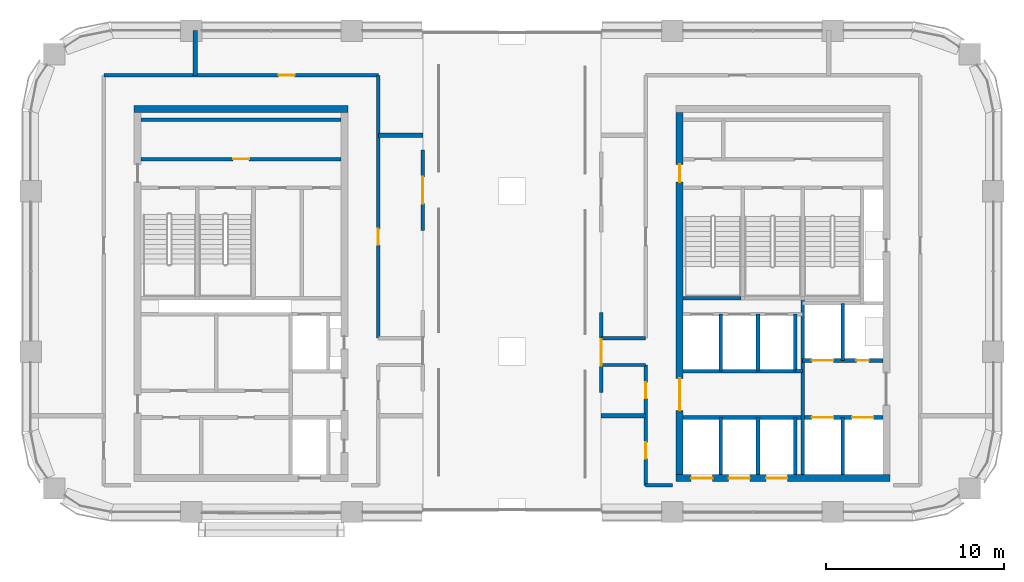
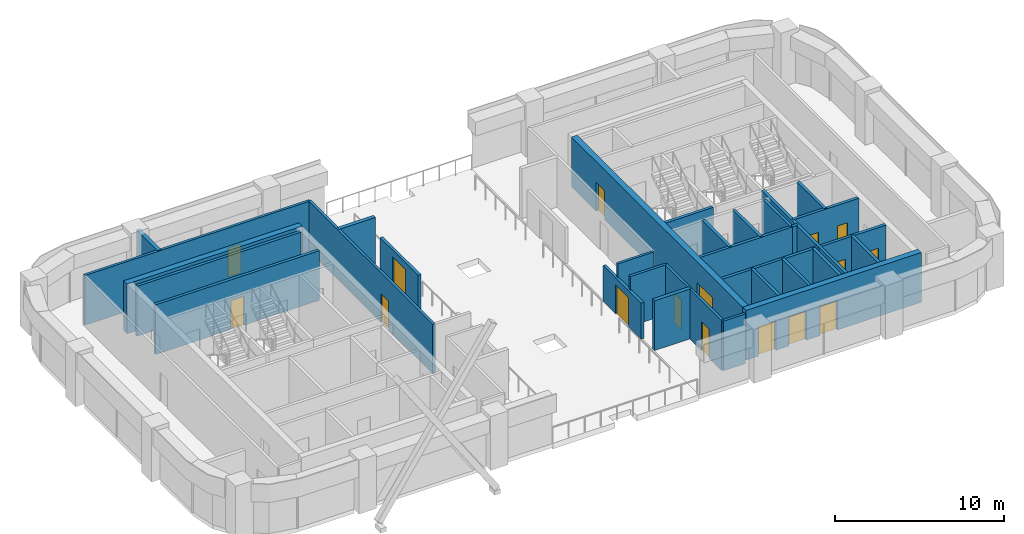
# One storey, part 7 of 11: 30 walls, 16 doors, 16 openings.
"""IFC4 building model written with IfcOpenShell, lengths in metres."""

from ifc_helpers import new_model, si_unit, direction, frame, frame_2d, origin, place, context, subcontext, project, spatial, rectangle, extrude, material, layer, layer_set, type_object, element, fill, save


model = new_model("IFC4")

# Units and contexts
model_context = context("Model", 3, precision=1e-05, world=origin(), true_north=direction((0.0, 1.0)))
body_context = subcontext(model_context, "Body", "Model", "MODEL_VIEW")
ifc_project = project(units=[si_unit("LENGTHUNIT", "METRE"), si_unit("AREAUNIT", "SQUARE_METRE"), si_unit("VOLUMEUNIT", "CUBIC_METRE"), si_unit("PLANEANGLEUNIT", "RADIAN"), si_unit("MASSUNIT", "GRAM", prefix="KILO")], contexts=[model_context])

# Site, building, storey
site_placement = place(None, origin())
site = spatial("IfcSite", under=ifc_project, at=site_placement, CompositionType="ELEMENT")
building_placement = place(site_placement, origin())
building = spatial("IfcBuilding", under=site, at=building_placement, Name="Tessera Arch", CompositionType="ELEMENT")
storey_placement = place(building_placement, frame((0.0, 0.0, 203.300048828125)))
storey = spatial("IfcBuildingStorey", under=building, at=storey_placement, Name="L48", CompositionType="ELEMENT", Elevation=203.300048828125)

# Wall
ifc_material_1 = material(Name="Gypsum board on steel stud", Category="steel")
ifc_layer_1 = layer(ifc_material_1, 0.125)
ifc_layer_set_1 = layer_set([ifc_layer_1], Name="Core partition 125 EI 60")
wall_type_1 = type_object("IfcWallType", Name="Core partition 125 EI 60", PredefinedType="PARTITIONING", material=ifc_layer_set_1)
wall_1_placement = place(storey_placement, frame((42.89990234375, 34.89990234375, 0.0), z_axis=(0.0, 0.0, 1.0), x_axis=(1.0, 0.0, 0.0)))
element("IfcWall", 1, at=wall_1_placement, inside=storey, type_object=wall_type_1, Name="L48 C1 partition wall 19", PredefinedType="PARTITIONING", context=body_context, shape_type="SweptSolid", body=[
    extrude(rectangle(XDim=0.400146484375, YDim=0.199951171875, at=frame_2d((0.2001953125, 0.0))), origin(), (0.0, 0.0, 1.0), 3.599853515625),
])

# Wall, opening, door
wall_2_placement = place(storey_placement, frame((6.199951171875, 46.800048828125, 0.0), z_axis=(0.0, 0.0, 1.0), x_axis=(1.0, 0.0, 0.0)))
wall_2 = element("IfcWall", 2, at=wall_2_placement, inside=storey, type_object=wall_type_1, Name="L48 C2 partition wall 24", PredefinedType="PARTITIONING", context=body_context, shape_type="SweptSolid", body=[
    extrude(rectangle(XDim=11.199951171875, YDim=0.199951171875, at=frame_2d((5.60009765625, 0.0))), origin(), (0.0, 0.0, 1.0), 3.599853515625),
])
opening_1_placement = place(wall_2_placement, frame((5.14990234375, 0.0, 0.0)))
opening_1 = element("IfcOpeningElement", 3, at=opening_1_placement, cuts=wall_2, Name="Opening L48-C29", PredefinedType="OPENING", context=body_context, shape_type="SweptSolid", body=[
    extrude(rectangle(XDim=0.89990234375, YDim=2.10009765625, at=frame_2d((0.449951171875, 1.050048828125))), frame((0.0, 0.10986328125, 0.0), z_axis=(0.0, -1.0, 0.0), x_axis=(1.0, 0.0, 0.0)), (0.0, 0.0, 1.0), 0.219970703125),
])
ifc_material_2 = material(Name="Steel door leaf", Category="steel")
door_type_1 = type_object("IfcDoorType", Name="Store door FD30S 900 x 2100", OperationType="SINGLE_SWING_LEFT", PredefinedType="DOOR", material=ifc_material_2)
door_1_placement = place(opening_1_placement, origin())
door_1 = element("IfcDoor", 4, at=door_1_placement, inside=storey, type_object=door_type_1, Name="L48 C2 door 10 C29 type D09", OperationType="SINGLE_SWING_RIGHT", OverallHeight=2.10009765625, OverallWidth=0.89990234375, PredefinedType="DOOR", context=body_context, shape_type="SweptSolid", body=[
    extrude(rectangle(XDim=0.89990234375, YDim=2.10009765625, at=frame_2d((0.449951171875, 1.050048828125))), frame((0.0, 0.02490234375, 0.0), z_axis=(0.0, -1.0, 0.0), x_axis=(1.0, 0.0, 0.0)), (0.0, 0.0, 1.0), 0.050048828125),
])
fill(opening_1, door_1)

# Wall
wall_3_placement = place(storey_placement, frame((6.199951171875, 49.0, 0.0), z_axis=(0.0, 0.0, 1.0), x_axis=(1.0, 0.0, 0.0)))
element("IfcWall", 5, at=wall_3_placement, inside=storey, type_object=wall_type_1, Name="L48 C2 partition wall 25", PredefinedType="PARTITIONING", context=body_context, shape_type="SweptSolid", body=[
    extrude(rectangle(XDim=11.199951171875, YDim=0.199951171875, at=frame_2d((5.60009765625, 0.0))), origin(), (0.0, 0.0, 1.0), 3.599853515625),
])

# Wall, openings, doors
ifc_material_3 = material(Name="Concrete C50/60", Category="concrete")
ifc_layer_2 = layer(ifc_material_3, 0.39990234375)
ifc_layer_set_2 = layer_set([ifc_layer_2], Name="Core shell wall 400 C50-60")
wall_type_2 = type_object("IfcWallType", Name="Core shell wall 400 C50-60", PredefinedType="SHEAR", material=ifc_layer_set_2)
wall_4_placement = place(storey_placement, frame((36.199951171875, 28.89990234375, 0.0), z_axis=(0.0, 0.0, 1.0), x_axis=(1.0, 0.0, 0.0)))
wall_4 = element("IfcWall", 6, at=wall_4_placement, inside=storey, type_object=wall_type_2, Name="L48 C1 core wall S", PredefinedType="SHEAR", context=body_context, shape_type="SweptSolid", body=[
    extrude(rectangle(XDim=12.0, YDim=0.39990234375, at=frame_2d((6.0, 0.0))), origin(), (0.0, 0.0, 1.0), 3.599853515625),
])
opening_2_placement = place(wall_4_placement, frame((0.85009765625, 0.0, 0.0)))
opening_2 = element("IfcOpeningElement", 7, at=opening_2_placement, cuts=wall_4, Name="Opening L48-C01", PredefinedType="OPENING", context=body_context, shape_type="SweptSolid", body=[
    extrude(rectangle(XDim=1.199951171875, YDim=2.10009765625, at=frame_2d((0.60009765625, 1.050048828125))), frame((0.0, 0.2099609375, 0.0), z_axis=(0.0, -1.0, 0.0), x_axis=(1.0, 0.0, 0.0)), (0.0, 0.0, 1.0), 0.419921875),
])
opening_3_placement = place(wall_4_placement, frame((2.949951171875, 0.0, 0.0)))
opening_3 = element("IfcOpeningElement", 8, at=opening_3_placement, cuts=wall_4, Name="Opening L48-C03", PredefinedType="OPENING", context=body_context, shape_type="SweptSolid", body=[
    extrude(rectangle(XDim=1.199951171875, YDim=2.10009765625, at=frame_2d((0.60009765625, 1.050048828125))), frame((0.0, 0.2099609375, 0.0), z_axis=(0.0, -1.0, 0.0), x_axis=(1.0, 0.0, 0.0)), (0.0, 0.0, 1.0), 0.419921875),
])
opening_4_placement = place(wall_4_placement, frame((5.050048828125, 0.0, 0.0)))
opening_4 = element("IfcOpeningElement", 9, at=opening_4_placement, cuts=wall_4, Name="Opening L48-C05", PredefinedType="OPENING", context=body_context, shape_type="SweptSolid", body=[
    extrude(rectangle(XDim=1.199951171875, YDim=2.10009765625, at=frame_2d((0.60009765625, 1.050048828125))), frame((0.0, 0.2099609375, 0.0), z_axis=(0.0, -1.0, 0.0), x_axis=(1.0, 0.0, 0.0)), (0.0, 0.0, 1.0), 0.419921875),
])
ifc_material_4 = material(Name="Stainless steel AISI 304", Category="steel")
door_type_2 = type_object("IfcDoorType", Name="Sliding landing door 1200 x 2100", OperationType="SLIDING_TO_LEFT", PredefinedType="DOOR", material=ifc_material_4)
door_2_placement = place(opening_2_placement, origin())
door_2 = element("IfcDoor", 10, at=door_2_placement, inside=storey, type_object=door_type_2, Name="L48 HR1 lift landing door C01 type LD", OperationType="SLIDING_TO_LEFT", OverallHeight=2.10009765625, OverallWidth=1.199951171875, PredefinedType="DOOR", context=body_context, shape_type="SweptSolid", body=[
    extrude(rectangle(XDim=1.199951171875, YDim=2.10009765625, at=frame_2d((0.60009765625, 1.050048828125))), frame((0.0, 0.02490234375, 0.0), z_axis=(0.0, -1.0, 0.0), x_axis=(1.0, 0.0, 0.0)), (0.0, 0.0, 1.0), 0.050048828125),
])
fill(opening_2, door_2)
door_3_placement = place(opening_3_placement, origin())
door_3 = element("IfcDoor", 11, at=door_3_placement, inside=storey, type_object=door_type_2, Name="L48 HR2 lift landing door C03 type LD", OperationType="SLIDING_TO_LEFT", OverallHeight=2.10009765625, OverallWidth=1.199951171875, PredefinedType="DOOR", context=body_context, shape_type="SweptSolid", body=[
    extrude(rectangle(XDim=1.199951171875, YDim=2.10009765625, at=frame_2d((0.60009765625, 1.050048828125))), frame((0.0, 0.02490234375, 0.0), z_axis=(0.0, -1.0, 0.0), x_axis=(1.0, 0.0, 0.0)), (0.0, 0.0, 1.0), 0.050048828125),
])
fill(opening_3, door_3)
door_4_placement = place(opening_4_placement, origin())
door_4 = element("IfcDoor", 12, at=door_4_placement, inside=storey, type_object=door_type_2, Name="L48 HR3 lift landing door C05 type LD", OperationType="SLIDING_TO_LEFT", OverallHeight=2.10009765625, OverallWidth=1.199951171875, PredefinedType="DOOR", context=body_context, shape_type="SweptSolid", body=[
    extrude(rectangle(XDim=1.199951171875, YDim=2.10009765625, at=frame_2d((0.60009765625, 1.050048828125))), frame((0.0, 0.02490234375, 0.0), z_axis=(0.0, -1.0, 0.0), x_axis=(1.0, 0.0, 0.0)), (0.0, 0.0, 1.0), 0.050048828125),
])
fill(opening_4, door_4)

wall_5_placement = place(storey_placement, frame((36.39990234375, 29.10009765625, 0.0), z_axis=(0.0, 0.0, 1.0), x_axis=(0.0, 1.0, 0.0)))
wall_5 = element("IfcWall", 13, at=wall_5_placement, inside=storey, type_object=wall_type_2, Name="L48 C1 core wall W", PredefinedType="SHEAR", context=body_context, shape_type="SweptSolid", body=[
    extrude(rectangle(XDim=20.2998046875, YDim=0.39990234375, at=frame_2d((10.14990234375, 0.0))), origin(), (0.0, 0.0, 1.0), 3.599853515625),
])
opening_5_placement = place(wall_5_placement, frame((3.60009765625, 0.0, 0.0)))
opening_5 = element("IfcOpeningElement", 14, at=opening_5_placement, cuts=wall_5, Name="Opening L48-C10", PredefinedType="OPENING", context=body_context, shape_type="SweptSolid", body=[
    extrude(rectangle(XDim=1.800048828125, YDim=2.10009765625, at=frame_2d((0.89990234375, 1.050048828125))), frame((0.0, 0.2099609375, 0.0), z_axis=(0.0, -1.0, 0.0), x_axis=(1.0, 0.0, 0.0)), (0.0, 0.0, 1.0), 0.419921875),
])
opening_6_placement = place(wall_5_placement, frame((16.39990234375, 0.0, 0.0)))
opening_6 = element("IfcOpeningElement", 15, at=opening_6_placement, cuts=wall_5, Name="Opening L48-C17", PredefinedType="OPENING", context=body_context, shape_type="SweptSolid", body=[
    extrude(rectangle(XDim=1.0, YDim=2.10009765625, at=frame_2d((0.5, 1.050048828125))), frame((0.0, 0.2099609375, 0.0), z_axis=(0.0, -1.0, 0.0), x_axis=(1.0, 0.0, 0.0)), (0.0, 0.0, 1.0), 0.419921875),
])
ifc_material_5 = material(Name="Steel door leaf", Category="steel")
door_type_3 = type_object("IfcDoorType", Name="Corridor door FD60 1000 x 2100", OperationType="SINGLE_SWING_LEFT", PredefinedType="DOOR", material=ifc_material_5)
door_5_placement = place(opening_6_placement, origin())
door_5 = element("IfcDoor", 16, at=door_5_placement, inside=storey, type_object=door_type_3, Name="L48 C1 door 17 C17 type D12", OperationType="SINGLE_SWING_RIGHT", OverallHeight=2.10009765625, OverallWidth=1.0, PredefinedType="DOOR", context=body_context, shape_type="SweptSolid", body=[
    extrude(rectangle(XDim=1.0, YDim=2.10009765625, at=frame_2d((0.5, 1.050048828125))), frame((0.0, 0.02490234375, 0.0), z_axis=(0.0, -1.0, 0.0), x_axis=(1.0, 0.0, 0.0)), (0.0, 0.0, 1.0), 0.050048828125),
])
fill(opening_6, door_5)
ifc_material_6 = material(Name="Glazed steel door leaf", Category="steel")
door_type_4 = type_object("IfcDoorType", Name="Lobby double door FD30S 1800 x 2100", OperationType="DOUBLE_DOOR_SINGLE_SWING", PredefinedType="DOOR", material=ifc_material_6)
door_6_placement = place(opening_5_placement, origin())
door_6 = element("IfcDoor", 17, at=door_6_placement, inside=storey, type_object=door_type_4, Name="L48 C1 door 10 C10 type D06", OperationType="DOUBLE_DOOR_SINGLE_SWING", OverallHeight=2.10009765625, OverallWidth=1.800048828125, PredefinedType="DOOR", context=body_context, shape_type="SweptSolid", body=[
    extrude(rectangle(XDim=1.800048828125, YDim=2.10009765625, at=frame_2d((0.89990234375, 1.050048828125))), frame((0.0, 0.02490234375, 0.0), z_axis=(0.0, -1.0, 0.0), x_axis=(1.0, 0.0, 0.0)), (0.0, 0.0, 1.0), 0.050048828125),
])
fill(opening_5, door_6)

# Walls
wall_6_placement = place(storey_placement, frame((5.800048828125, 49.60009765625, 0.0), z_axis=(0.0, 0.0, 1.0), x_axis=(1.0, 0.0, 0.0)))
element("IfcWall", 18, at=wall_6_placement, inside=storey, type_object=wall_type_2, Name="L48 C2 core wall N", PredefinedType="SHEAR", context=body_context, shape_type="SweptSolid", body=[
    extrude(rectangle(XDim=12.0, YDim=0.39990234375, at=frame_2d((6.0, 0.0))), origin(), (0.0, 0.0, 1.0), 3.599853515625),
])
ifc_material_7 = material(Name="Gypsum board on deep steel stud with mineral wool", Category="steel")
ifc_layer_3 = layer(ifc_material_7, 0.175048828125)
ifc_layer_set_3 = layer_set([ifc_layer_3], Name="Corridor wall 175 EI 60")
wall_type_3 = type_object("IfcWallType", Name="Corridor wall 175 EI 60", PredefinedType="PARTITIONING", material=ifc_layer_set_3)
wall_7_placement = place(storey_placement, frame((34.5, 28.5, 0.0), z_axis=(0.0, 0.0, 1.0), x_axis=(1.0, 0.0, 0.0)))
element("IfcWall", 19, at=wall_7_placement, inside=storey, type_object=wall_type_3, Name="L48 partition 3", PredefinedType="PARTITIONING", context=body_context, shape_type="SweptSolid", body=[
    extrude(rectangle(XDim=1.5, YDim=0.175048828125, at=frame_2d((0.75, 0.0))), origin(), (0.0, 0.0, 1.0), 3.599853515625),
])
for number, where, z_axis, x_axis, name in (
    (20, (32.025390625, 35.25, 0.0), (0.0, 0.0, 1.0), (1.0, 0.0, 0.0), "L48 partition 6"),
    (21, (32.025390625, 36.75, 0.0), (0.0, 0.0, 1.0), (1.0, 0.0, 0.0), "L48 partition 8"),
):
    element("IfcWall", number, at=place(storey_placement, frame(where, z_axis=z_axis, x_axis=x_axis)), inside=storey, type_object=wall_type_3, Name=name, PredefinedType="PARTITIONING", context=body_context, shape_type="SweptSolid", body=[
        extrude(rectangle(XDim=2.474609375, YDim=0.175048828125, at=frame_2d((1.2373046875, 0.0))), origin(), (0.0, 0.0, 1.0), 3.599853515625),
    ])

# Wall, opening, door
wall_8_placement = place(storey_placement, frame((4.10009765625, 51.5, 0.0), z_axis=(0.0, 0.0, 1.0), x_axis=(1.0, 0.0, 0.0)))
wall_8 = element("IfcWall", 22, at=wall_8_placement, inside=storey, type_object=wall_type_3, Name="L48 partition 9", PredefinedType="PARTITIONING", context=body_context, shape_type="SweptSolid", body=[
    extrude(rectangle(XDim=15.39990234375, YDim=0.175048828125, at=frame_2d((7.699951171875, 0.0))), origin(), (0.0, 0.0, 1.0), 3.599853515625),
])
opening_7_placement = place(wall_8_placement, frame((9.81103515625, 0.0, 0.0)))
opening_7 = element("IfcOpeningElement", 23, at=opening_7_placement, cuts=wall_8, Name="Opening L48-D009", PredefinedType="OPENING", context=body_context, shape_type="SweptSolid", body=[
    extrude(rectangle(XDim=0.89990234375, YDim=2.10009765625, at=frame_2d((0.449951171875, 1.050048828125))), frame((0.0, 0.097412109375, 0.0), z_axis=(0.0, -1.0, 0.0), x_axis=(1.0, 0.0, 0.0)), (0.0, 0.0, 1.0), 0.195068359375),
])
ifc_material_8 = material(Name="Timber door leaf", Category="wood")
door_type_5 = type_object("IfcDoorType", Name="Room door 900 x 2100", OperationType="SINGLE_SWING_LEFT", PredefinedType="DOOR", material=ifc_material_8)
door_7_placement = place(opening_7_placement, origin())
door_7 = element("IfcDoor", 24, at=door_7_placement, inside=storey, type_object=door_type_5, Name="L48 door D009 type D01", OperationType="SINGLE_SWING_LEFT", OverallHeight=2.10009765625, OverallWidth=0.89990234375, PredefinedType="DOOR", context=body_context, shape_type="SweptSolid", body=[
    extrude(rectangle(XDim=0.89990234375, YDim=2.10009765625, at=frame_2d((0.449951171875, 1.050048828125))), frame((0.0, 0.02490234375, 0.0), z_axis=(0.0, -1.0, 0.0), x_axis=(1.0, 0.0, 0.0)), (0.0, 0.0, 1.0), 0.050048828125),
])
fill(opening_7, door_7)

wall_9_placement = place(storey_placement, frame((19.5, 36.75, 0.0), z_axis=(0.0, 0.0, 1.0), x_axis=(0.0, 1.0, 0.0)))
wall_9 = element("IfcWall", 25, at=wall_9_placement, inside=storey, type_object=wall_type_3, Name="L48 partition 13", PredefinedType="PARTITIONING", context=body_context, shape_type="SweptSolid", body=[
    extrude(rectangle(XDim=14.75, YDim=0.175048828125, at=frame_2d((7.375, 0.0))), origin(), (0.0, 0.0, 1.0), 3.599853515625),
])
opening_8_placement = place(wall_9_placement, frame((5.2392578125, 0.0, 0.0)))
opening_8 = element("IfcOpeningElement", 26, at=opening_8_placement, cuts=wall_9, Name="Opening L48-D005", PredefinedType="OPENING", context=body_context, shape_type="SweptSolid", body=[
    extrude(rectangle(XDim=0.89990234375, YDim=2.10009765625, at=frame_2d((0.449951171875, 1.050048828125))), frame((0.0, 0.097412109375, 0.0), z_axis=(0.0, -1.0, 0.0), x_axis=(1.0, 0.0, 0.0)), (0.0, 0.0, 1.0), 0.195068359375),
])
door_8_placement = place(opening_8_placement, origin())
door_8 = element("IfcDoor", 27, at=door_8_placement, inside=storey, type_object=door_type_5, Name="L48 door D005 type D01", OperationType="SINGLE_SWING_RIGHT", OverallHeight=2.10009765625, OverallWidth=0.89990234375, PredefinedType="DOOR", context=body_context, shape_type="SweptSolid", body=[
    extrude(rectangle(XDim=0.89990234375, YDim=2.10009765625, at=frame_2d((0.449951171875, 1.050048828125))), frame((0.0, 0.02490234375, 0.0), z_axis=(0.0, -1.0, 0.0), x_axis=(1.0, 0.0, 0.0)), (0.0, 0.0, 1.0), 0.050048828125),
])
fill(opening_8, door_8)

# Wall, openings, doors
wall_10_placement = place(storey_placement, frame((34.5, 28.5, 0.0), z_axis=(0.0, 0.0, 1.0), x_axis=(0.0, 1.0, 0.0)))
wall_10 = element("IfcWall", 28, at=wall_10_placement, inside=storey, type_object=wall_type_3, Name="L48 partition 14", PredefinedType="PARTITIONING", context=body_context, shape_type="SweptSolid", body=[
    extrude(rectangle(XDim=6.75, YDim=0.175048828125, at=frame_2d((3.375, 0.0))), origin(), (0.0, 0.0, 1.0), 3.599853515625),
])
opening_9_placement = place(wall_10_placement, frame((1.5, 0.0, 0.0)))
opening_9 = element("IfcOpeningElement", 29, at=opening_9_placement, cuts=wall_10, Name="Opening L48-D002", PredefinedType="OPENING", context=body_context, shape_type="SweptSolid", body=[
    extrude(rectangle(XDim=0.89990234375, YDim=2.10009765625, at=frame_2d((0.449951171875, 1.050048828125))), frame((0.0, 0.097412109375, 0.0), z_axis=(0.0, -1.0, 0.0), x_axis=(1.0, 0.0, 0.0)), (0.0, 0.0, 1.0), 0.195068359375),
])
opening_10_placement = place(wall_10_placement, frame((4.875, 0.0, 0.0)))
opening_10 = element("IfcOpeningElement", 30, at=opening_10_placement, cuts=wall_10, Name="Opening L48-D004", PredefinedType="OPENING", context=body_context, shape_type="SweptSolid", body=[
    extrude(rectangle(XDim=0.89990234375, YDim=2.10009765625, at=frame_2d((0.449951171875, 1.050048828125))), frame((0.0, 0.097412109375, 0.0), z_axis=(0.0, -1.0, 0.0), x_axis=(1.0, 0.0, 0.0)), (0.0, 0.0, 1.0), 0.195068359375),
])
door_9_placement = place(opening_9_placement, origin())
door_9 = element("IfcDoor", 31, at=door_9_placement, inside=storey, type_object=door_type_5, Name="L48 door D002 type D01", OperationType="SINGLE_SWING_RIGHT", OverallHeight=2.10009765625, OverallWidth=0.89990234375, PredefinedType="DOOR", context=body_context, shape_type="SweptSolid", body=[
    extrude(rectangle(XDim=0.89990234375, YDim=2.10009765625, at=frame_2d((0.449951171875, 1.050048828125))), frame((0.0, 0.02490234375, 0.0), z_axis=(0.0, -1.0, 0.0), x_axis=(1.0, 0.0, 0.0)), (0.0, 0.0, 1.0), 0.050048828125),
])
fill(opening_9, door_9)
door_10_placement = place(opening_10_placement, origin())
door_10 = element("IfcDoor", 32, at=door_10_placement, inside=storey, type_object=door_type_5, Name="L48 door D004 type D01", OperationType="SINGLE_SWING_RIGHT", OverallHeight=2.10009765625, OverallWidth=0.89990234375, PredefinedType="DOOR", context=body_context, shape_type="SweptSolid", body=[
    extrude(rectangle(XDim=0.89990234375, YDim=2.10009765625, at=frame_2d((0.449951171875, 1.050048828125))), frame((0.0, 0.02490234375, 0.0), z_axis=(0.0, -1.0, 0.0), x_axis=(1.0, 0.0, 0.0)), (0.0, 0.0, 1.0), 0.050048828125),
])
fill(opening_10, door_10)

# Wall, opening, door
ifc_material_9 = material(Name="Aluminium cladding pale metal anodised", Category="aluminium")
ifc_layer_4 = layer(ifc_material_9, 0.199951171875)
ifc_layer_set_4 = layer_set([ifc_layer_4], Name="Envelope wall pale metal")
wall_type_4 = type_object("IfcWallType", Name="Envelope wall pale metal", PredefinedType="SOLIDWALL", material=ifc_layer_set_4)
wall_11_placement = place(storey_placement, frame((22.0, 42.800048828125, 0.0), z_axis=(0.0, 0.0, 1.0), x_axis=(0.0, 1.0, 0.0)))
wall_11 = element("IfcWall", 33, at=wall_11_placement, inside=storey, type_object=wall_type_4, Name="Door bay wall E22.27/0 L48", PredefinedType="SOLIDWALL", context=body_context, shape_type="SweptSolid", body=[
    extrude(rectangle(XDim=4.5, YDim=0.199951171875, at=frame_2d((2.25, 0.0))), origin(), (0.0, 0.0, 1.0), 2.599853515625),
])
opening_11_placement = place(wall_11_placement, frame((1.5, 0.0, 0.0)))
opening_11 = element("IfcOpeningElement", 34, at=opening_11_placement, cuts=wall_11, Name="Opening L48-X02", PredefinedType="OPENING", context=body_context, shape_type="SweptSolid", body=[
    extrude(rectangle(XDim=1.5, YDim=2.10009765625, at=frame_2d((0.75, 1.050048828125))), frame((0.0, 0.10986328125, 0.0), z_axis=(0.0, -1.0, 0.0), x_axis=(1.0, 0.0, 0.0)), (0.0, 0.0, 1.0), 0.219970703125),
])
ifc_material_10 = material(Name="Aluminium frame and clear glass", Category="aluminium")
door_type_6 = type_object("IfcDoorType", Name="Terrace door glazed double leaf", OperationType="DOUBLE_DOOR_SINGLE_SWING", PredefinedType="DOOR", material=ifc_material_10)
door_11_placement = place(opening_11_placement, origin())
door_11 = element("IfcDoor", 35, at=door_11_placement, inside=storey, type_object=door_type_6, Name="Door L48-X-E22.27/0-2 X02", OperationType="DOUBLE_DOOR_SINGLE_SWING", OverallHeight=2.10009765625, OverallWidth=1.5, PredefinedType="DOOR", context=body_context, shape_type="SweptSolid", body=[
    extrude(rectangle(XDim=1.5, YDim=2.10009765625, at=frame_2d((0.75, 1.050048828125))), frame((0.0, 0.02490234375, 0.0), z_axis=(0.0, -1.0, 0.0), x_axis=(1.0, 0.0, 0.0)), (0.0, 0.0, 1.0), 0.050048828125),
])
fill(opening_11, door_11)

wall_12_placement = place(storey_placement, frame((32.0, 38.199951171875, 0.0), z_axis=(0.0, 0.0, 1.0), x_axis=(0.0, -1.0, 0.0)))
wall_12 = element("IfcWall", 36, at=wall_12_placement, inside=storey, type_object=wall_type_4, Name="Door bay wall W32.27/0 L48", PredefinedType="SOLIDWALL", context=body_context, shape_type="SweptSolid", body=[
    extrude(rectangle(XDim=4.5, YDim=0.199951171875, at=frame_2d((2.25, 0.0))), origin(), (0.0, 0.0, 1.0), 2.599853515625),
])
opening_12_placement = place(wall_12_placement, frame((1.5, 0.0, 0.0)))
opening_12 = element("IfcOpeningElement", 37, at=opening_12_placement, cuts=wall_12, Name="Opening L48-X04", PredefinedType="OPENING", context=body_context, shape_type="SweptSolid", body=[
    extrude(rectangle(XDim=1.5, YDim=2.10009765625, at=frame_2d((0.75, 1.050048828125))), frame((0.0, 0.10986328125, 0.0), z_axis=(0.0, -1.0, 0.0), x_axis=(1.0, 0.0, 0.0)), (0.0, 0.0, 1.0), 0.219970703125),
])
door_12_placement = place(opening_12_placement, origin())
door_12 = element("IfcDoor", 38, at=door_12_placement, inside=storey, type_object=door_type_6, Name="Door L48-X-W32.27/0-2 X04", OperationType="DOUBLE_DOOR_SINGLE_SWING", OverallHeight=2.10009765625, OverallWidth=1.5, PredefinedType="DOOR", context=body_context, shape_type="SweptSolid", body=[
    extrude(rectangle(XDim=1.5, YDim=2.10009765625, at=frame_2d((0.75, 1.050048828125))), frame((0.0, 0.02490234375, 0.0), z_axis=(0.0, -1.0, 0.0), x_axis=(1.0, 0.0, 0.0)), (0.0, 0.0, 1.0), 0.050048828125),
])
fill(opening_12, door_12)

# Walls
ifc_material_11 = material(Name="Double gypsum board on twin steel stud with acoustic mineral wool", Category="steel")
ifc_layer_5 = layer(ifc_material_11, 0.25)
ifc_layer_set_5 = layer_set([ifc_layer_5], Name="Party wall 250 EI 60")
wall_type_5 = type_object("IfcWallType", Name="Party wall 250 EI 60", PredefinedType="PARTITIONING", material=ifc_layer_set_5)
for number, where, z_axis, x_axis, name in (
    (39, (32.0, 32.39990234375, 0.0), (0.0, 0.0, 1.0), (1.0, 0.0, 0.0), "L48 partition 19"),
    (40, (19.5, 48.12890625, 0.0), (0.0, 0.0, 1.0), (1.0, 0.0, 0.0), "L48 partition 21"),
    (41, (9.221923828125, 51.5, 0.0), (0.0, 0.0, 1.0), (0.0, 1.0, 0.0), "L48 partition 23"),
):
    element("IfcWall", number, at=place(storey_placement, frame(where, z_axis=z_axis, x_axis=x_axis)), inside=storey, type_object=wall_type_5, Name=name, PredefinedType="PARTITIONING", context=body_context, shape_type="SweptSolid", body=[
        extrude(rectangle(XDim=2.5, YDim=0.25, at=frame_2d((1.25, 0.0))), origin(), (0.0, 0.0, 1.0), 3.599853515625),
    ])
ifc_material_12 = material(Name="Concrete C40/50", Category="concrete")
ifc_layer_6 = layer(ifc_material_12, 0.199951171875)
ifc_layer_set_6 = layer_set([ifc_layer_6], Name="Shaft wall 200 EI 120")
wall_type_6 = type_object("IfcWallType", Name="Shaft wall 200 EI 120", PredefinedType="SOLIDWALL", material=ifc_layer_set_6)
wall_13_placement = place(storey_placement, frame((38.699951171875, 29.10009765625, 0.0), z_axis=(0.0, 0.0, 1.0), x_axis=(0.0, 1.0, 0.0)))
element("IfcWall", 42, at=wall_13_placement, inside=storey, type_object=wall_type_6, Name="L48 C1 shaft wall 1", PredefinedType="SOLIDWALL", context=body_context, shape_type="SweptSolid", body=[
    extrude(rectangle(XDim=3.199951171875, YDim=0.199951171875, at=frame_2d((1.60009765625, 0.0))), origin(), (0.0, 0.0, 1.0), 3.599853515625),
])
wall_14_placement = place(storey_placement, frame((38.699951171875, 34.89990234375, 0.0), z_axis=(0.0, 0.0, 1.0), x_axis=(0.0, 1.0, 0.0)))
element("IfcWall", 43, at=wall_14_placement, inside=storey, type_object=wall_type_6, Name="L48 C1 shaft wall 2", PredefinedType="SOLIDWALL", context=body_context, shape_type="SweptSolid", body=[
    extrude(rectangle(XDim=3.2001953125, YDim=0.199951171875, at=frame_2d((1.60009765625, 0.0))), origin(), (0.0, 0.0, 1.0), 3.599853515625),
])
wall_15_placement = place(storey_placement, frame((40.800048828125, 29.10009765625, 0.0), z_axis=(0.0, 0.0, 1.0), x_axis=(0.0, 1.0, 0.0)))
element("IfcWall", 44, at=wall_15_placement, inside=storey, type_object=wall_type_6, Name="L48 C1 shaft wall 6", PredefinedType="SOLIDWALL", context=body_context, shape_type="SweptSolid", body=[
    extrude(rectangle(XDim=3.199951171875, YDim=0.199951171875, at=frame_2d((1.60009765625, 0.0))), origin(), (0.0, 0.0, 1.0), 3.599853515625),
])
wall_16_placement = place(storey_placement, frame((40.800048828125, 34.89990234375, 0.0), z_axis=(0.0, 0.0, 1.0), x_axis=(0.0, 1.0, 0.0)))
element("IfcWall", 45, at=wall_16_placement, inside=storey, type_object=wall_type_6, Name="L48 C1 shaft wall 7", PredefinedType="SOLIDWALL", context=body_context, shape_type="SweptSolid", body=[
    extrude(rectangle(XDim=3.2001953125, YDim=0.199951171875, at=frame_2d((1.60009765625, 0.0))), origin(), (0.0, 0.0, 1.0), 3.599853515625),
])
wall_17_placement = place(storey_placement, frame((42.89990234375, 29.10009765625, 0.0), z_axis=(0.0, 0.0, 1.0), x_axis=(0.0, 1.0, 0.0)))
element("IfcWall", 46, at=wall_17_placement, inside=storey, type_object=wall_type_6, Name="L48 C1 shaft wall 8", PredefinedType="SOLIDWALL", context=body_context, shape_type="SweptSolid", body=[
    extrude(rectangle(XDim=3.199951171875, YDim=0.199951171875, at=frame_2d((1.60009765625, 0.0))), origin(), (0.0, 0.0, 1.0), 3.599853515625),
])
wall_18_placement = place(storey_placement, frame((42.89990234375, 34.89990234375, 0.0), z_axis=(0.0, 0.0, 1.0), x_axis=(0.0, 1.0, 0.0)))
element("IfcWall", 47, at=wall_18_placement, inside=storey, type_object=wall_type_6, Name="L48 C1 shaft wall 9", PredefinedType="SOLIDWALL", context=body_context, shape_type="SweptSolid", body=[
    extrude(rectangle(XDim=3.2001953125, YDim=0.199951171875, at=frame_2d((1.60009765625, 0.0))), origin(), (0.0, 0.0, 1.0), 3.599853515625),
])
wall_19_placement = place(storey_placement, frame((43.300048828125, 29.10009765625, 0.0), z_axis=(0.0, 0.0, 1.0), x_axis=(0.0, 1.0, 0.0)))
element("IfcWall", 48, at=wall_19_placement, inside=storey, type_object=wall_type_6, Name="L48 C1 shaft wall 10", PredefinedType="SOLIDWALL", context=body_context, shape_type="SweptSolid", body=[
    extrude(rectangle(XDim=9.89990234375, YDim=0.199951171875, at=frame_2d((4.949951171875, 0.0))), origin(), (0.0, 0.0, 1.0), 3.599853515625),
])
for number, where, z_axis, x_axis, name in (
    (49, (45.550048828125, 29.10009765625, 0.0), (0.0, 0.0, 1.0), (0.0, 1.0, 0.0), "L48 C1 shaft wall 13"),
    (50, (45.550048828125, 35.5, 0.0), (0.0, 0.0, 1.0), (0.0, 1.0, 0.0), "L48 C1 shaft wall 14"),
):
    element("IfcWall", number, at=place(storey_placement, frame(where, z_axis=z_axis, x_axis=x_axis)), inside=storey, type_object=wall_type_6, Name=name, PredefinedType="SOLIDWALL", context=body_context, shape_type="SweptSolid", body=[
        extrude(rectangle(XDim=3.199951171875, YDim=0.199951171875, at=frame_2d((1.60009765625, 0.0))), origin(), (0.0, 0.0, 1.0), 3.599853515625),
    ])

# Wall, openings, doors
wall_20_placement = place(storey_placement, frame((36.60009765625, 32.300048828125, 0.0), z_axis=(0.0, 0.0, 1.0), x_axis=(1.0, 0.0, 0.0)))
wall_20 = element("IfcWall", 51, at=wall_20_placement, inside=storey, type_object=wall_type_6, Name="L48 C1 shaft wall 18", PredefinedType="SOLIDWALL", context=body_context, shape_type="SweptSolid", body=[
    extrude(rectangle(XDim=11.199951171875, YDim=0.199951171875, at=frame_2d((5.60009765625, 0.0))), origin(), (0.0, 0.0, 1.0), 3.599853515625),
])
opening_13_placement = place(wall_20_placement, frame((7.22509765625, 0.0, 0.0)))
opening_13 = element("IfcOpeningElement", 52, at=opening_13_placement, cuts=wall_20, Name="Opening L48-C07", PredefinedType="OPENING", context=body_context, shape_type="SweptSolid", body=[
    extrude(rectangle(XDim=1.199951171875, YDim=2.10009765625, at=frame_2d((0.60009765625, 1.050048828125))), frame((0.0, 0.10986328125, 0.0), z_axis=(0.0, -1.0, 0.0), x_axis=(1.0, 0.0, 0.0)), (0.0, 0.0, 1.0), 0.219970703125),
])
opening_14_placement = place(wall_20_placement, frame((9.47509765625, 0.0, 0.0)))
opening_14 = element("IfcOpeningElement", 53, at=opening_14_placement, cuts=wall_20, Name="Opening L48-C08", PredefinedType="OPENING", context=body_context, shape_type="SweptSolid", body=[
    extrude(rectangle(XDim=1.199951171875, YDim=2.10009765625, at=frame_2d((0.60009765625, 1.050048828125))), frame((0.0, 0.10986328125, 0.0), z_axis=(0.0, -1.0, 0.0), x_axis=(1.0, 0.0, 0.0)), (0.0, 0.0, 1.0), 0.219970703125),
])
door_13_placement = place(opening_13_placement, origin())
door_13 = element("IfcDoor", 54, at=door_13_placement, inside=storey, type_object=door_type_2, Name="L48 FF1 lift landing door C07 type LD", OperationType="SLIDING_TO_LEFT", OverallHeight=2.10009765625, OverallWidth=1.199951171875, PredefinedType="DOOR", context=body_context, shape_type="SweptSolid", body=[
    extrude(rectangle(XDim=1.199951171875, YDim=2.10009765625, at=frame_2d((0.60009765625, 1.050048828125))), frame((0.0, 0.02490234375, 0.0), z_axis=(0.0, -1.0, 0.0), x_axis=(1.0, 0.0, 0.0)), (0.0, 0.0, 1.0), 0.050048828125),
])
fill(opening_13, door_13)
door_14_placement = place(opening_14_placement, origin())
door_14 = element("IfcDoor", 55, at=door_14_placement, inside=storey, type_object=door_type_2, Name="L48 FF2 lift landing door C08 type LD", OperationType="SLIDING_TO_LEFT", OverallHeight=2.10009765625, OverallWidth=1.199951171875, PredefinedType="DOOR", context=body_context, shape_type="SweptSolid", body=[
    extrude(rectangle(XDim=1.199951171875, YDim=2.10009765625, at=frame_2d((0.60009765625, 1.050048828125))), frame((0.0, 0.02490234375, 0.0), z_axis=(0.0, -1.0, 0.0), x_axis=(1.0, 0.0, 0.0)), (0.0, 0.0, 1.0), 0.050048828125),
])
fill(opening_14, door_14)

# Wall
wall_21_placement = place(storey_placement, frame((36.60009765625, 34.89990234375, 0.0), z_axis=(0.0, 0.0, 1.0), x_axis=(1.0, 0.0, 0.0)))
element("IfcWall", 56, at=wall_21_placement, inside=storey, type_object=wall_type_6, Name="L48 C1 shaft wall 20", PredefinedType="SOLIDWALL", context=body_context, shape_type="SweptSolid", body=[
    extrude(rectangle(XDim=6.2998046875, YDim=0.199951171875, at=frame_2d((3.14990234375, 0.0))), origin(), (0.0, 0.0, 1.0), 3.599853515625),
])

# Wall, openings, doors
wall_22_placement = place(storey_placement, frame((43.300048828125, 35.5, 0.0), z_axis=(0.0, 0.0, 1.0), x_axis=(1.0, 0.0, 0.0)))
wall_22 = element("IfcWall", 57, at=wall_22_placement, inside=storey, type_object=wall_type_6, Name="L48 C1 shaft wall 21", PredefinedType="SOLIDWALL", context=body_context, shape_type="SweptSolid", body=[
    extrude(rectangle(XDim=4.5, YDim=0.199951171875, at=frame_2d((2.25, 0.0))), origin(), (0.0, 0.0, 1.0), 3.599853515625),
])
opening_15_placement = place(wall_22_placement, frame((0.52490234375, 0.0, 0.0)))
opening_15 = element("IfcOpeningElement", 58, at=opening_15_placement, cuts=wall_22, Name="Opening L48-C09", PredefinedType="OPENING", context=body_context, shape_type="SweptSolid", body=[
    extrude(rectangle(XDim=1.199951171875, YDim=2.10009765625, at=frame_2d((0.60009765625, 1.050048828125))), frame((0.0, 0.10986328125, 0.0), z_axis=(0.0, -1.0, 0.0), x_axis=(1.0, 0.0, 0.0)), (0.0, 0.0, 1.0), 0.219970703125),
])
opening_16_placement = place(wall_22_placement, frame((3.02490234375, 0.0, 0.0)))
opening_16 = element("IfcOpeningElement", 59, at=opening_16_placement, cuts=wall_22, Name="Opening L48-C16", PredefinedType="OPENING", context=body_context, shape_type="SweptSolid", body=[
    extrude(rectangle(XDim=0.699951171875, YDim=2.10009765625, at=frame_2d((0.35009765625, 1.050048828125))), frame((0.0, 0.10986328125, 0.0), z_axis=(0.0, -1.0, 0.0), x_axis=(1.0, 0.0, 0.0)), (0.0, 0.0, 1.0), 0.219970703125),
])
ifc_material_13 = material(Name="Steel door leaf", Category="steel")
door_type_7 = type_object("IfcDoorType", Name="Service shaft door FD60 700 x 2100", OperationType="SINGLE_SWING_LEFT", PredefinedType="DOOR", material=ifc_material_13)
door_15_placement = place(opening_16_placement, origin())
door_15 = element("IfcDoor", 60, at=door_15_placement, inside=storey, type_object=door_type_7, Name="L48 C1 door 16 C16 type D07", OperationType="SINGLE_SWING_RIGHT", OverallHeight=2.10009765625, OverallWidth=0.699951171875, PredefinedType="DOOR", context=body_context, shape_type="SweptSolid", body=[
    extrude(rectangle(XDim=0.699951171875, YDim=2.10009765625, at=frame_2d((0.35009765625, 1.050048828125))), frame((0.0, 0.02490234375, 0.0), z_axis=(0.0, -1.0, 0.0), x_axis=(1.0, 0.0, 0.0)), (0.0, 0.0, 1.0), 0.050048828125),
])
fill(opening_16, door_15)
door_16_placement = place(opening_15_placement, origin())
door_16 = element("IfcDoor", 61, at=door_16_placement, inside=storey, type_object=door_type_2, Name="L48 SV2 lift landing door C09 type LD", OperationType="SLIDING_TO_LEFT", OverallHeight=2.10009765625, OverallWidth=1.199951171875, PredefinedType="DOOR", context=body_context, shape_type="SweptSolid", body=[
    extrude(rectangle(XDim=1.199951171875, YDim=2.10009765625, at=frame_2d((0.60009765625, 1.050048828125))), frame((0.0, 0.02490234375, 0.0), z_axis=(0.0, -1.0, 0.0), x_axis=(1.0, 0.0, 0.0)), (0.0, 0.0, 1.0), 0.050048828125),
])
fill(opening_15, door_16)

# Wall
ifc_material_14 = material(Name="Concrete C40/50", Category="concrete")
ifc_layer_7 = layer(ifc_material_14, 0.199951171875)
ifc_layer_set_7 = layer_set([ifc_layer_7], Name="Stair well wall 200 REI 180")
wall_type_7 = type_object("IfcWallType", Name="Stair well wall 200 REI 180", PredefinedType="SOLIDWALL", material=ifc_layer_set_7)
wall_23_placement = place(storey_placement, frame((36.60009765625, 39.0, 0.0), z_axis=(0.0, 0.0, 1.0), x_axis=(1.0, 0.0, 0.0)))
element("IfcWall", 62, at=wall_23_placement, inside=storey, type_object=wall_type_7, Name="L48 C1 shaft wall 24", PredefinedType="SOLIDWALL", context=body_context, shape_type="SweptSolid", body=[
    extrude(rectangle(XDim=3.25, YDim=0.199951171875, at=frame_2d((1.625, 0.0))), origin(), (0.0, 0.0, 1.0), 3.599853515625),
])

save(model, "model.ifc")
